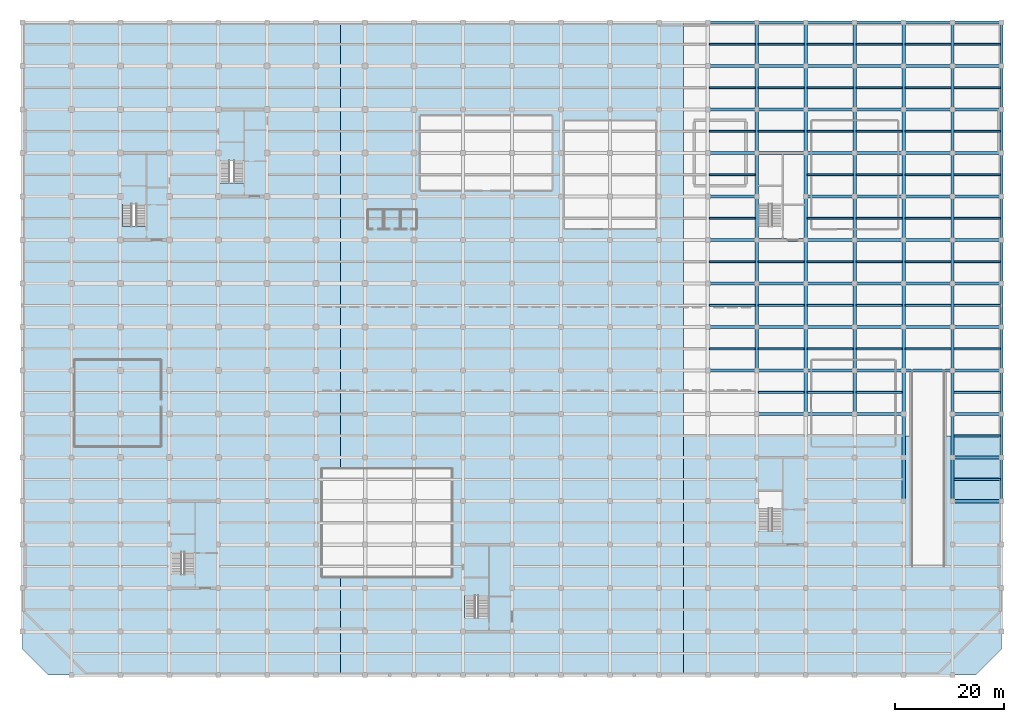
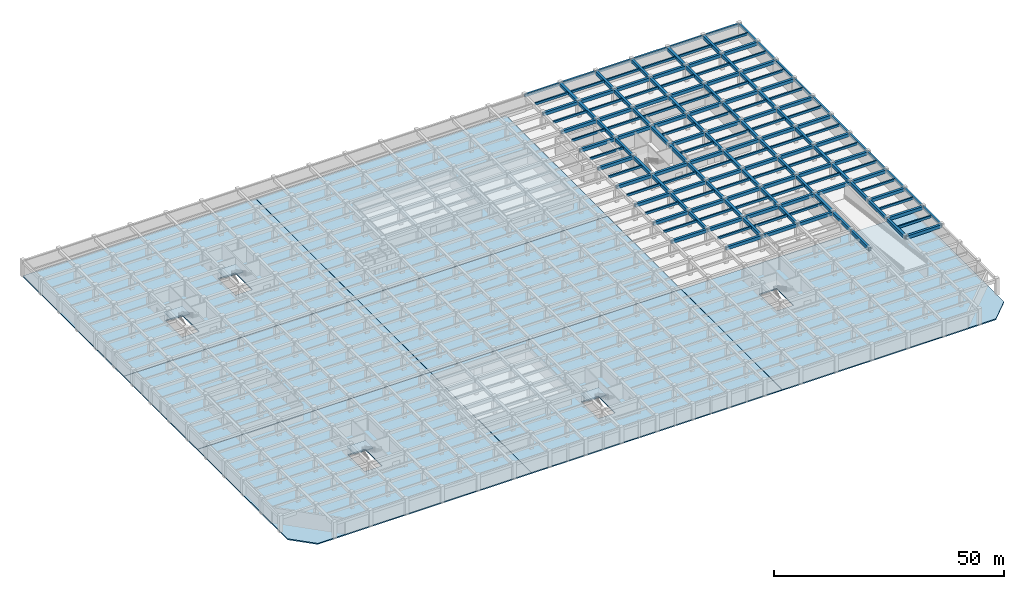
# One storey, part 7 of 26: 170 beams, 11 slabs, 4 elements without a shape of their own.
"""IFC4 building model written with IfcOpenShell, lengths in metres."""

from ifc_helpers import new_model, si_unit, direction, frame, origin, origin_2d, place, context, subcontext, project, spatial, polyline, rectangle, outline, extrude, material, layer, layer_set, material_profile, profile_set, type_object, element, aggregate, save


model = new_model("IFC4")

# Units and contexts
model_context = context("Model", 3, precision=1e-05, world=origin(), true_north=direction((0.0, 1.0)))
body_context = subcontext(model_context, "Body", "Model", "MODEL_VIEW")
ifc_project = project(units=[si_unit("LENGTHUNIT", "METRE"), si_unit("AREAUNIT", "SQUARE_METRE"), si_unit("VOLUMEUNIT", "CUBIC_METRE"), si_unit("PLANEANGLEUNIT", "RADIAN"), si_unit("MASSUNIT", "GRAM", prefix="KILO")], contexts=[model_context])

# Site, building, storey
site_placement = place(None, origin())
site = spatial("IfcSite", under=ifc_project, at=site_placement, CompositionType="ELEMENT")
building_placement = place(site_placement, origin())
building = spatial("IfcBuilding", under=site, at=building_placement, Name="Zaverband Oceanarium and Marine Research Institute", CompositionType="ELEMENT")
storey_placement = place(building_placement, frame((0.0, 0.0, -4.5)))
storey = spatial("IfcBuildingStorey", under=building, at=storey_placement, Name="B1", CompositionType="ELEMENT", Elevation=-4.5)

# Beams
ifc_material = material(Name="Concrete C40/50", Category="concrete")
ifc_material_profile_1 = material_profile(ifc_material, rectangle(XDim=0.60009765625, YDim=0.85009765625, at=origin_2d()), Name="RC600x850")
ifc_profile_set_1 = profile_set([ifc_material_profile_1], Name="Concrete C40/50")
beam_type_1 = type_object("IfcBeamType", Name="BM-600x850", PredefinedType="BEAM", material=ifc_profile_set_1)
for number, where, z_axis, x_axis, name in (
    (1, (171.0, 32.0, 3.72509765625), (1.0, 0.0, 0.0), (0.0, 1.0, 0.0), "Primary floor girder BM-600x850"),
    (2, (171.0, 40.0, 3.72509765625), (1.0, 0.0, 0.0), (0.0, 1.0, 0.0), "Primary floor girder BM-600x850"),
    (3, (135.0, 48.0, 3.72509765625), (1.0, 0.0, 0.0), (0.0, 1.0, 0.0), "Primary floor girder BM-600x850"),
    (4, (144.0, 48.0, 3.72509765625), (1.0, 0.0, 0.0), (0.0, 1.0, 0.0), "Primary floor girder BM-600x850"),
    (5, (153.0, 48.0, 3.72509765625), (1.0, 0.0, 0.0), (0.0, 1.0, 0.0), "Primary floor girder BM-600x850"),
    (6, (171.0, 48.0, 3.72509765625), (1.0, 0.0, 0.0), (0.0, 1.0, 0.0), "Primary floor girder BM-600x850"),
    (7, (126.0, 56.0, 3.72509765625), (1.0, 0.0, 0.0), (0.0, 1.0, 0.0), "Primary floor girder BM-600x850"),
    (8, (135.0, 56.0, 3.72509765625), (1.0, 0.0, 0.0), (0.0, 1.0, 0.0), "Primary floor girder BM-600x850"),
    (9, (144.0, 56.0, 3.72509765625), (1.0, 0.0, 0.0), (0.0, 1.0, 0.0), "Primary floor girder BM-600x850"),
    (10, (153.0, 56.0, 3.72509765625), (1.0, 0.0, 0.0), (0.0, 1.0, 0.0), "Primary floor girder BM-600x850"),
    (11, (162.0, 56.0, 3.72509765625), (1.0, 0.0, 0.0), (0.0, 1.0, 0.0), "Primary floor girder BM-600x850"),
    (12, (171.0, 56.0, 3.72509765625), (1.0, 0.0, 0.0), (0.0, 1.0, 0.0), "Primary floor girder BM-600x850"),
    (13, (126.0, 64.0, 3.72509765625), (1.0, 0.0, 0.0), (0.0, 1.0, 0.0), "Primary floor girder BM-600x850"),
    (14, (135.0, 64.0, 3.72509765625), (1.0, 0.0, 0.0), (0.0, 1.0, 0.0), "Primary floor girder BM-600x850"),
    (15, (144.0, 64.0, 3.72509765625), (1.0, 0.0, 0.0), (0.0, 1.0, 0.0), "Primary floor girder BM-600x850"),
    (16, (153.0, 64.0, 3.72509765625), (1.0, 0.0, 0.0), (0.0, 1.0, 0.0), "Primary floor girder BM-600x850"),
    (17, (162.0, 64.0, 3.72509765625), (1.0, 0.0, 0.0), (0.0, 1.0, 0.0), "Primary floor girder BM-600x850"),
    (18, (171.0, 64.0, 3.72509765625), (1.0, 0.0, 0.0), (0.0, 1.0, 0.0), "Primary floor girder BM-600x850"),
    (19, (126.0, 72.0, 3.72509765625), (1.0, 0.0, 0.0), (0.0, 1.0, 0.0), "Primary floor girder BM-600x850"),
    (20, (135.0, 72.0, 3.72509765625), (1.0, 0.0, 0.0), (0.0, 1.0, 0.0), "Primary floor girder BM-600x850"),
    (21, (144.0, 72.0, 3.72509765625), (1.0, 0.0, 0.0), (0.0, 1.0, 0.0), "Primary floor girder BM-600x850"),
    (22, (153.0, 72.0, 3.72509765625), (1.0, 0.0, 0.0), (0.0, 1.0, 0.0), "Primary floor girder BM-600x850"),
    (23, (162.0, 72.0, 3.72509765625), (1.0, 0.0, 0.0), (0.0, 1.0, 0.0), "Primary floor girder BM-600x850"),
    (24, (171.0, 72.0, 3.72509765625), (1.0, 0.0, 0.0), (0.0, 1.0, 0.0), "Primary floor girder BM-600x850"),
    (25, (126.0, 80.0, 3.72509765625), (1.0, 0.0, 0.0), (0.0, 1.0, 0.0), "Primary floor girder BM-600x850"),
    (26, (135.0, 80.0, 3.72509765625), (1.0, 0.0, 0.0), (0.0, 1.0, 0.0), "Primary floor girder BM-600x850"),
    (27, (144.0, 80.0, 3.72509765625), (1.0, 0.0, 0.0), (0.0, 1.0, 0.0), "Primary floor girder BM-600x850"),
    (28, (153.0, 80.0, 3.72509765625), (1.0, 0.0, 0.0), (0.0, 1.0, 0.0), "Primary floor girder BM-600x850"),
    (29, (162.0, 80.0, 3.72509765625), (1.0, 0.0, 0.0), (0.0, 1.0, 0.0), "Primary floor girder BM-600x850"),
    (30, (171.0, 80.0, 3.72509765625), (1.0, 0.0, 0.0), (0.0, 1.0, 0.0), "Primary floor girder BM-600x850"),
    (31, (126.0, 88.0, 3.72509765625), (1.0, 0.0, 0.0), (0.0, 1.0, 0.0), "Primary floor girder BM-600x850"),
    (32, (144.0, 88.0, 3.72509765625), (1.0, 0.0, 0.0), (0.0, 1.0, 0.0), "Primary floor girder BM-600x850"),
    (33, (153.0, 88.0, 3.72509765625), (1.0, 0.0, 0.0), (0.0, 1.0, 0.0), "Primary floor girder BM-600x850"),
    (34, (162.0, 88.0, 3.72509765625), (1.0, 0.0, 0.0), (0.0, 1.0, 0.0), "Primary floor girder BM-600x850"),
    (35, (171.0, 88.0, 3.72509765625), (1.0, 0.0, 0.0), (0.0, 1.0, 0.0), "Primary floor girder BM-600x850"),
    (36, (126.0, 96.0, 3.72509765625), (1.0, 0.0, 0.0), (0.0, 1.0, 0.0), "Primary floor girder BM-600x850"),
    (37, (135.0, 96.0, 3.72509765625), (1.0, 0.0, 0.0), (0.0, 1.0, 0.0), "Primary floor girder BM-600x850"),
    (38, (144.0, 96.0, 3.72509765625), (1.0, 0.0, 0.0), (0.0, 1.0, 0.0), "Primary floor girder BM-600x850"),
    (39, (153.0, 96.0, 3.72509765625), (1.0, 0.0, 0.0), (0.0, 1.0, 0.0), "Primary floor girder BM-600x850"),
    (40, (162.0, 96.0, 3.72509765625), (1.0, 0.0, 0.0), (0.0, 1.0, 0.0), "Primary floor girder BM-600x850"),
    (41, (171.0, 96.0, 3.72509765625), (1.0, 0.0, 0.0), (0.0, 1.0, 0.0), "Primary floor girder BM-600x850"),
    (42, (126.0, 104.0, 3.72509765625), (1.0, 0.0, 0.0), (0.0, 1.0, 0.0), "Primary floor girder BM-600x850"),
    (43, (135.0, 104.0, 3.72509765625), (1.0, 0.0, 0.0), (0.0, 1.0, 0.0), "Primary floor girder BM-600x850"),
    (44, (144.0, 104.0, 3.72509765625), (1.0, 0.0, 0.0), (0.0, 1.0, 0.0), "Primary floor girder BM-600x850"),
    (45, (153.0, 104.0, 3.72509765625), (1.0, 0.0, 0.0), (0.0, 1.0, 0.0), "Primary floor girder BM-600x850"),
    (46, (162.0, 104.0, 3.72509765625), (1.0, 0.0, 0.0), (0.0, 1.0, 0.0), "Primary floor girder BM-600x850"),
    (47, (171.0, 104.0, 3.72509765625), (1.0, 0.0, 0.0), (0.0, 1.0, 0.0), "Primary floor girder BM-600x850"),
    (48, (126.0, 112.0, 3.72509765625), (1.0, 0.0, 0.0), (0.0, 1.0, 0.0), "Primary floor girder BM-600x850"),
    (49, (135.0, 112.0, 3.72509765625), (1.0, 0.0, 0.0), (0.0, 1.0, 0.0), "Primary floor girder BM-600x850"),
    (50, (144.0, 112.0, 3.72509765625), (1.0, 0.0, 0.0), (0.0, 1.0, 0.0), "Primary floor girder BM-600x850"),
    (51, (153.0, 112.0, 3.72509765625), (1.0, 0.0, 0.0), (0.0, 1.0, 0.0), "Primary floor girder BM-600x850"),
    (52, (162.0, 112.0, 3.72509765625), (1.0, 0.0, 0.0), (0.0, 1.0, 0.0), "Primary floor girder BM-600x850"),
    (53, (171.0, 112.0, 3.72509765625), (1.0, 0.0, 0.0), (0.0, 1.0, 0.0), "Primary floor girder BM-600x850"),
):
    element("IfcBeam", number, at=place(storey_placement, frame(where, z_axis=z_axis, x_axis=x_axis)), inside=storey, type_object=beam_type_1, Name=name, PredefinedType="BEAM", context=body_context, shape_type="SweptSolid", body=[
        extrude(rectangle(XDim=0.60009765625, YDim=0.85009765625, at=origin_2d()), origin(), (0.0, 0.0, 1.0), 9.0),
    ])
for number, where, z_axis, x_axis, name in (
    (54, (135.0, 56.0, 3.72509765625), (0.0, 1.0, 0.0), (-1.0, 0.0, 0.0), "Primary floor girder BM-600x850"),
    (55, (135.0, 64.0, 3.72509765625), (0.0, 1.0, 0.0), (-1.0, 0.0, 0.0), "Primary floor girder BM-600x850"),
    (56, (135.0, 72.0, 3.72509765625), (0.0, 1.0, 0.0), (-1.0, 0.0, 0.0), "Primary floor girder BM-600x850"),
    (57, (135.0, 80.0, 3.72509765625), (0.0, 1.0, 0.0), (-1.0, 0.0, 0.0), "Primary floor girder BM-600x850"),
    (58, (135.0, 88.0, 3.72509765625), (0.0, 1.0, 0.0), (-1.0, 0.0, 0.0), "Primary floor girder BM-600x850"),
    (59, (135.0, 96.0, 3.72509765625), (0.0, 1.0, 0.0), (-1.0, 0.0, 0.0), "Primary floor girder BM-600x850"),
    (60, (135.0, 104.0, 3.72509765625), (0.0, 1.0, 0.0), (-1.0, 0.0, 0.0), "Primary floor girder BM-600x850"),
    (61, (135.0, 112.0, 3.72509765625), (0.0, 1.0, 0.0), (-1.0, 0.0, 0.0), "Primary floor girder BM-600x850"),
    (62, (144.0, 48.0, 3.72509765625), (0.0, 1.0, 0.0), (-1.0, 0.0, 0.0), "Primary floor girder BM-600x850"),
    (63, (144.0, 56.0, 3.72509765625), (0.0, 1.0, 0.0), (-1.0, 0.0, 0.0), "Primary floor girder BM-600x850"),
    (64, (144.0, 64.0, 3.72509765625), (0.0, 1.0, 0.0), (-1.0, 0.0, 0.0), "Primary floor girder BM-600x850"),
    (65, (144.0, 72.0, 3.72509765625), (0.0, 1.0, 0.0), (-1.0, 0.0, 0.0), "Primary floor girder BM-600x850"),
    (66, (144.0, 80.0, 3.72509765625), (0.0, 1.0, 0.0), (-1.0, 0.0, 0.0), "Primary floor girder BM-600x850"),
    (67, (144.0, 88.0, 3.72509765625), (0.0, 1.0, 0.0), (-1.0, 0.0, 0.0), "Primary floor girder BM-600x850"),
    (68, (144.0, 96.0, 3.72509765625), (0.0, 1.0, 0.0), (-1.0, 0.0, 0.0), "Primary floor girder BM-600x850"),
    (69, (144.0, 104.0, 3.72509765625), (0.0, 1.0, 0.0), (-1.0, 0.0, 0.0), "Primary floor girder BM-600x850"),
    (70, (144.0, 112.0, 3.72509765625), (0.0, 1.0, 0.0), (-1.0, 0.0, 0.0), "Primary floor girder BM-600x850"),
    (71, (153.0, 48.0, 3.72509765625), (0.0, 1.0, 0.0), (-1.0, 0.0, 0.0), "Primary floor girder BM-600x850"),
    (72, (153.0, 56.0, 3.72509765625), (0.0, 1.0, 0.0), (-1.0, 0.0, 0.0), "Primary floor girder BM-600x850"),
    (73, (153.0, 64.0, 3.72509765625), (0.0, 1.0, 0.0), (-1.0, 0.0, 0.0), "Primary floor girder BM-600x850"),
    (74, (153.0, 72.0, 3.72509765625), (0.0, 1.0, 0.0), (-1.0, 0.0, 0.0), "Primary floor girder BM-600x850"),
    (75, (153.0, 80.0, 3.72509765625), (0.0, 1.0, 0.0), (-1.0, 0.0, 0.0), "Primary floor girder BM-600x850"),
    (76, (153.0, 88.0, 3.72509765625), (0.0, 1.0, 0.0), (-1.0, 0.0, 0.0), "Primary floor girder BM-600x850"),
    (77, (153.0, 96.0, 3.72509765625), (0.0, 1.0, 0.0), (-1.0, 0.0, 0.0), "Primary floor girder BM-600x850"),
    (78, (153.0, 104.0, 3.72509765625), (0.0, 1.0, 0.0), (-1.0, 0.0, 0.0), "Primary floor girder BM-600x850"),
    (79, (153.0, 112.0, 3.72509765625), (0.0, 1.0, 0.0), (-1.0, 0.0, 0.0), "Primary floor girder BM-600x850"),
    (80, (162.0, 32.0, 3.72509765625), (0.0, 1.0, 0.0), (-1.0, 0.0, 0.0), "Primary floor girder BM-600x850"),
    (81, (162.0, 40.0, 3.72509765625), (0.0, 1.0, 0.0), (-1.0, 0.0, 0.0), "Primary floor girder BM-600x850"),
    (82, (162.0, 48.0, 3.72509765625), (0.0, 1.0, 0.0), (-1.0, 0.0, 0.0), "Primary floor girder BM-600x850"),
    (83, (162.0, 56.0, 3.72509765625), (0.0, 1.0, 0.0), (-1.0, 0.0, 0.0), "Primary floor girder BM-600x850"),
    (84, (162.0, 64.0, 3.72509765625), (0.0, 1.0, 0.0), (-1.0, 0.0, 0.0), "Primary floor girder BM-600x850"),
    (85, (162.0, 72.0, 3.72509765625), (0.0, 1.0, 0.0), (-1.0, 0.0, 0.0), "Primary floor girder BM-600x850"),
    (86, (162.0, 80.0, 3.72509765625), (0.0, 1.0, 0.0), (-1.0, 0.0, 0.0), "Primary floor girder BM-600x850"),
    (87, (162.0, 88.0, 3.72509765625), (0.0, 1.0, 0.0), (-1.0, 0.0, 0.0), "Primary floor girder BM-600x850"),
    (88, (162.0, 96.0, 3.72509765625), (0.0, 1.0, 0.0), (-1.0, 0.0, 0.0), "Primary floor girder BM-600x850"),
    (89, (162.0, 104.0, 3.72509765625), (0.0, 1.0, 0.0), (-1.0, 0.0, 0.0), "Primary floor girder BM-600x850"),
    (90, (162.0, 112.0, 3.72509765625), (0.0, 1.0, 0.0), (-1.0, 0.0, 0.0), "Primary floor girder BM-600x850"),
    (91, (171.0, 32.0, 3.72509765625), (0.0, 1.0, 0.0), (-1.0, 0.0, 0.0), "Primary floor girder BM-600x850"),
    (92, (171.0, 40.0, 3.72509765625), (0.0, 1.0, 0.0), (-1.0, 0.0, 0.0), "Primary floor girder BM-600x850"),
    (93, (171.0, 48.0, 3.72509765625), (0.0, 1.0, 0.0), (-1.0, 0.0, 0.0), "Primary floor girder BM-600x850"),
    (94, (171.0, 56.0, 3.72509765625), (0.0, 1.0, 0.0), (-1.0, 0.0, 0.0), "Primary floor girder BM-600x850"),
    (95, (171.0, 64.0, 3.72509765625), (0.0, 1.0, 0.0), (-1.0, 0.0, 0.0), "Primary floor girder BM-600x850"),
    (96, (171.0, 72.0, 3.72509765625), (0.0, 1.0, 0.0), (-1.0, 0.0, 0.0), "Primary floor girder BM-600x850"),
    (97, (171.0, 80.0, 3.72509765625), (0.0, 1.0, 0.0), (-1.0, 0.0, 0.0), "Primary floor girder BM-600x850"),
    (98, (171.0, 88.0, 3.72509765625), (0.0, 1.0, 0.0), (-1.0, 0.0, 0.0), "Primary floor girder BM-600x850"),
    (99, (171.0, 96.0, 3.72509765625), (0.0, 1.0, 0.0), (-1.0, 0.0, 0.0), "Primary floor girder BM-600x850"),
    (100, (171.0, 104.0, 3.72509765625), (0.0, 1.0, 0.0), (-1.0, 0.0, 0.0), "Primary floor girder BM-600x850"),
    (101, (171.0, 112.0, 3.72509765625), (0.0, 1.0, 0.0), (-1.0, 0.0, 0.0), "Primary floor girder BM-600x850"),
):
    element("IfcBeam", number, at=place(storey_placement, frame(where, z_axis=z_axis, x_axis=x_axis)), inside=storey, type_object=beam_type_1, Name=name, PredefinedType="BEAM", context=body_context, shape_type="SweptSolid", body=[
        extrude(rectangle(XDim=0.60009765625, YDim=0.85009765625, at=origin_2d()), origin(), (0.0, 0.0, 1.0), 8.0),
    ])
ifc_material_profile_2 = material_profile(ifc_material, rectangle(XDim=0.35009765625, YDim=0.60009765625, at=origin_2d()), Name="RC350x600")
ifc_profile_set_2 = profile_set([ifc_material_profile_2], Name="Concrete C40/50")
beam_type_2 = type_object("IfcBeamType", Name="JST-350x600", PredefinedType="JOIST", material=ifc_profile_set_2)
for number, where, z_axis, x_axis, name in (
    (102, (126.300048828125, 60.0, 3.85009765625), (1.0, 0.0, 0.0), (0.0, 1.0, 0.0), "Secondary floor joist JST-350x600"),
    (103, (126.300048828125, 68.0, 3.85009765625), (1.0, 0.0, 0.0), (0.0, 1.0, 0.0), "Secondary floor joist JST-350x600"),
    (104, (126.300048828125, 76.0, 3.85009765625), (1.0, 0.0, 0.0), (0.0, 1.0, 0.0), "Secondary floor joist JST-350x600"),
    (105, (126.300048828125, 84.0, 3.85009765625), (1.0, 0.0, 0.0), (0.0, 1.0, 0.0), "Secondary floor joist JST-350x600"),
    (106, (126.300048828125, 92.0, 3.85009765625), (1.0, 0.0, 0.0), (0.0, 1.0, 0.0), "Secondary floor joist JST-350x600"),
    (107, (126.300048828125, 100.0, 3.85009765625), (1.0, 0.0, 0.0), (0.0, 1.0, 0.0), "Secondary floor joist JST-350x600"),
    (108, (126.300048828125, 108.0, 3.85009765625), (1.0, 0.0, 0.0), (0.0, 1.0, 0.0), "Secondary floor joist JST-350x600"),
    (109, (126.300048828125, 116.0, 3.85009765625), (1.0, 0.0, 0.0), (0.0, 1.0, 0.0), "Secondary floor joist JST-350x600"),
    (110, (135.300048828125, 52.0, 3.85009765625), (1.0, 0.0, 0.0), (0.0, 1.0, 0.0), "Secondary floor joist JST-350x600"),
    (111, (135.300048828125, 60.0, 3.85009765625), (1.0, 0.0, 0.0), (0.0, 1.0, 0.0), "Secondary floor joist JST-350x600"),
    (112, (135.300048828125, 68.0, 3.85009765625), (1.0, 0.0, 0.0), (0.0, 1.0, 0.0), "Secondary floor joist JST-350x600"),
    (113, (135.300048828125, 76.0, 3.85009765625), (1.0, 0.0, 0.0), (0.0, 1.0, 0.0), "Secondary floor joist JST-350x600"),
    (114, (135.300048828125, 100.0, 3.85009765625), (1.0, 0.0, 0.0), (0.0, 1.0, 0.0), "Secondary floor joist JST-350x600"),
    (115, (135.300048828125, 108.0, 3.85009765625), (1.0, 0.0, 0.0), (0.0, 1.0, 0.0), "Secondary floor joist JST-350x600"),
    (116, (135.300048828125, 116.0, 3.85009765625), (1.0, 0.0, 0.0), (0.0, 1.0, 0.0), "Secondary floor joist JST-350x600"),
    (117, (144.300048828125, 52.0, 3.85009765625), (1.0, 0.0, 0.0), (0.0, 1.0, 0.0), "Secondary floor joist JST-350x600"),
    (118, (144.300048828125, 60.0, 3.85009765625), (1.0, 0.0, 0.0), (0.0, 1.0, 0.0), "Secondary floor joist JST-350x600"),
    (119, (144.300048828125, 68.0, 3.85009765625), (1.0, 0.0, 0.0), (0.0, 1.0, 0.0), "Secondary floor joist JST-350x600"),
    (120, (144.300048828125, 76.0, 3.85009765625), (1.0, 0.0, 0.0), (0.0, 1.0, 0.0), "Secondary floor joist JST-350x600"),
    (121, (144.300048828125, 84.0, 3.85009765625), (1.0, 0.0, 0.0), (0.0, 1.0, 0.0), "Secondary floor joist JST-350x600"),
    (122, (144.300048828125, 92.0, 3.85009765625), (1.0, 0.0, 0.0), (0.0, 1.0, 0.0), "Secondary floor joist JST-350x600"),
    (123, (144.300048828125, 100.0, 3.85009765625), (1.0, 0.0, 0.0), (0.0, 1.0, 0.0), "Secondary floor joist JST-350x600"),
    (124, (144.300048828125, 108.0, 3.85009765625), (1.0, 0.0, 0.0), (0.0, 1.0, 0.0), "Secondary floor joist JST-350x600"),
    (125, (144.300048828125, 116.0, 3.85009765625), (1.0, 0.0, 0.0), (0.0, 1.0, 0.0), "Secondary floor joist JST-350x600"),
    (126, (153.300048828125, 52.0, 3.85009765625), (1.0, 0.0, 0.0), (0.0, 1.0, 0.0), "Secondary floor joist JST-350x600"),
    (127, (153.300048828125, 60.0, 3.85009765625), (1.0, 0.0, 0.0), (0.0, 1.0, 0.0), "Secondary floor joist JST-350x600"),
    (128, (153.300048828125, 68.0, 3.85009765625), (1.0, 0.0, 0.0), (0.0, 1.0, 0.0), "Secondary floor joist JST-350x600"),
    (129, (153.300048828125, 76.0, 3.85009765625), (1.0, 0.0, 0.0), (0.0, 1.0, 0.0), "Secondary floor joist JST-350x600"),
    (130, (153.300048828125, 84.0, 3.85009765625), (1.0, 0.0, 0.0), (0.0, 1.0, 0.0), "Secondary floor joist JST-350x600"),
    (131, (153.300048828125, 92.0, 3.85009765625), (1.0, 0.0, 0.0), (0.0, 1.0, 0.0), "Secondary floor joist JST-350x600"),
    (132, (153.300048828125, 100.0, 3.85009765625), (1.0, 0.0, 0.0), (0.0, 1.0, 0.0), "Secondary floor joist JST-350x600"),
    (133, (153.300048828125, 108.0, 3.85009765625), (1.0, 0.0, 0.0), (0.0, 1.0, 0.0), "Secondary floor joist JST-350x600"),
    (134, (153.300048828125, 116.0, 3.85009765625), (1.0, 0.0, 0.0), (0.0, 1.0, 0.0), "Secondary floor joist JST-350x600"),
    (135, (162.300048828125, 60.0, 3.85009765625), (1.0, 0.0, 0.0), (0.0, 1.0, 0.0), "Secondary floor joist JST-350x600"),
    (136, (162.300048828125, 68.0, 3.85009765625), (1.0, 0.0, 0.0), (0.0, 1.0, 0.0), "Secondary floor joist JST-350x600"),
    (137, (162.300048828125, 76.0, 3.85009765625), (1.0, 0.0, 0.0), (0.0, 1.0, 0.0), "Secondary floor joist JST-350x600"),
    (138, (162.300048828125, 84.0, 3.85009765625), (1.0, 0.0, 0.0), (0.0, 1.0, 0.0), "Secondary floor joist JST-350x600"),
    (139, (162.300048828125, 92.0, 3.85009765625), (1.0, 0.0, 0.0), (0.0, 1.0, 0.0), "Secondary floor joist JST-350x600"),
    (140, (162.300048828125, 100.0, 3.85009765625), (1.0, 0.0, 0.0), (0.0, 1.0, 0.0), "Secondary floor joist JST-350x600"),
    (141, (162.300048828125, 108.0, 3.85009765625), (1.0, 0.0, 0.0), (0.0, 1.0, 0.0), "Secondary floor joist JST-350x600"),
    (142, (162.300048828125, 116.0, 3.85009765625), (1.0, 0.0, 0.0), (0.0, 1.0, 0.0), "Secondary floor joist JST-350x600"),
):
    element("IfcBeam", number, at=place(storey_placement, frame(where, z_axis=z_axis, x_axis=x_axis)), inside=storey, type_object=beam_type_2, Name=name, PredefinedType="JOIST", context=body_context, shape_type="SweptSolid", body=[
        extrude(rectangle(XDim=0.35009765625, YDim=0.60009765625, at=origin_2d()), origin(), (0.0, 0.0, 1.0), 8.39990234375),
    ])
for number, where, z_axis, x_axis, name in (
    (143, (171.300048828125, 36.0, 3.85009765625), (1.0, 0.0, 0.0), (0.0, 1.0, 0.0), "Secondary floor joist JST-350x600"),
    (144, (171.300048828125, 44.0, 3.85009765625), (1.0, 0.0, 0.0), (0.0, 1.0, 0.0), "Secondary floor joist JST-350x600"),
    (145, (171.300048828125, 52.0, 3.85009765625), (1.0, 0.0, 0.0), (0.0, 1.0, 0.0), "Secondary floor joist JST-350x600"),
    (146, (171.300048828125, 60.0, 3.85009765625), (1.0, 0.0, 0.0), (0.0, 1.0, 0.0), "Secondary floor joist JST-350x600"),
    (147, (171.300048828125, 68.0, 3.85009765625), (1.0, 0.0, 0.0), (0.0, 1.0, 0.0), "Secondary floor joist JST-350x600"),
    (148, (171.300048828125, 76.0, 3.85009765625), (1.0, 0.0, 0.0), (0.0, 1.0, 0.0), "Secondary floor joist JST-350x600"),
    (149, (171.300048828125, 84.0, 3.85009765625), (1.0, 0.0, 0.0), (0.0, 1.0, 0.0), "Secondary floor joist JST-350x600"),
    (150, (171.300048828125, 92.0, 3.85009765625), (1.0, 0.0, 0.0), (0.0, 1.0, 0.0), "Secondary floor joist JST-350x600"),
    (151, (171.300048828125, 100.0, 3.85009765625), (1.0, 0.0, 0.0), (0.0, 1.0, 0.0), "Secondary floor joist JST-350x600"),
    (152, (171.300048828125, 108.0, 3.85009765625), (1.0, 0.0, 0.0), (0.0, 1.0, 0.0), "Secondary floor joist JST-350x600"),
    (153, (171.300048828125, 116.0, 3.85009765625), (1.0, 0.0, 0.0), (0.0, 1.0, 0.0), "Secondary floor joist JST-350x600"),
):
    element("IfcBeam", number, at=place(storey_placement, frame(where, z_axis=z_axis, x_axis=x_axis)), inside=storey, type_object=beam_type_2, Name=name, PredefinedType="JOIST", context=body_context, shape_type="SweptSolid", body=[
        extrude(rectangle(XDim=0.35009765625, YDim=0.60009765625, at=origin_2d()), origin(), (0.0, 0.0, 1.0), 8.474853515625),
    ])
ifc_material_profile_3 = material_profile(ifc_material, rectangle(XDim=0.449951171875, YDim=0.699951171875, at=origin_2d()), Name="RC450x700")
ifc_profile_set_3 = profile_set([ifc_material_profile_3], Name="Concrete C40/50")
beam_type_3 = type_object("IfcBeamType", Name="SPN-450x700", PredefinedType="SPANDREL", material=ifc_profile_set_3)
for number, where, z_axis, x_axis, name in (
    (154, (126.0, 120.0, 3.800048828125), (1.0, 0.0, 0.0), (0.0, 1.0, 0.0), "Perimeter spandrel beam SPN-450x700"),
    (155, (135.0, 120.0, 3.800048828125), (1.0, 0.0, 0.0), (0.0, 1.0, 0.0), "Perimeter spandrel beam SPN-450x700"),
    (156, (144.0, 120.0, 3.800048828125), (1.0, 0.0, 0.0), (0.0, 1.0, 0.0), "Perimeter spandrel beam SPN-450x700"),
    (157, (153.0, 120.0, 3.800048828125), (1.0, 0.0, 0.0), (0.0, 1.0, 0.0), "Perimeter spandrel beam SPN-450x700"),
    (158, (162.0, 120.0, 3.800048828125), (1.0, 0.0, 0.0), (0.0, 1.0, 0.0), "Perimeter spandrel beam SPN-450x700"),
    (159, (171.0, 120.0, 3.800048828125), (1.0, 0.0, 0.0), (0.0, 1.0, 0.0), "Perimeter spandrel beam SPN-450x700"),
):
    element("IfcBeam", number, at=place(storey_placement, frame(where, z_axis=z_axis, x_axis=x_axis)), inside=storey, type_object=beam_type_3, Name=name, PredefinedType="SPANDREL", context=body_context, shape_type="SweptSolid", body=[
        extrude(rectangle(XDim=0.449951171875, YDim=0.699951171875, at=origin_2d()), origin(), (0.0, 0.0, 1.0), 9.0),
    ])
for number, where, z_axis, x_axis, name in (
    (160, (180.0, 32.0, 3.800048828125), (0.0, 1.0, 0.0), (-1.0, 0.0, 0.0), "Perimeter spandrel beam SPN-450x700"),
    (161, (180.0, 40.0, 3.800048828125), (0.0, 1.0, 0.0), (-1.0, 0.0, 0.0), "Perimeter spandrel beam SPN-450x700"),
    (162, (180.0, 48.0, 3.800048828125), (0.0, 1.0, 0.0), (-1.0, 0.0, 0.0), "Perimeter spandrel beam SPN-450x700"),
    (163, (180.0, 56.0, 3.800048828125), (0.0, 1.0, 0.0), (-1.0, 0.0, 0.0), "Perimeter spandrel beam SPN-450x700"),
    (164, (180.0, 64.0, 3.800048828125), (0.0, 1.0, 0.0), (-1.0, 0.0, 0.0), "Perimeter spandrel beam SPN-450x700"),
    (165, (180.0, 72.0, 3.800048828125), (0.0, 1.0, 0.0), (-1.0, 0.0, 0.0), "Perimeter spandrel beam SPN-450x700"),
    (166, (180.0, 80.0, 3.800048828125), (0.0, 1.0, 0.0), (-1.0, 0.0, 0.0), "Perimeter spandrel beam SPN-450x700"),
    (167, (180.0, 88.0, 3.800048828125), (0.0, 1.0, 0.0), (-1.0, 0.0, 0.0), "Perimeter spandrel beam SPN-450x700"),
    (168, (180.0, 96.0, 3.800048828125), (0.0, 1.0, 0.0), (-1.0, 0.0, 0.0), "Perimeter spandrel beam SPN-450x700"),
    (169, (180.0, 104.0, 3.800048828125), (0.0, 1.0, 0.0), (-1.0, 0.0, 0.0), "Perimeter spandrel beam SPN-450x700"),
    (170, (180.0, 112.0, 3.800048828125), (0.0, 1.0, 0.0), (-1.0, 0.0, 0.0), "Perimeter spandrel beam SPN-450x700"),
):
    element("IfcBeam", number, at=place(storey_placement, frame(where, z_axis=z_axis, x_axis=x_axis)), inside=storey, type_object=beam_type_3, Name=name, PredefinedType="SPANDREL", context=body_context, shape_type="SweptSolid", body=[
        extrude(rectangle(XDim=0.449951171875, YDim=0.699951171875, at=origin_2d()), origin(), (0.0, 0.0, 1.0), 8.0),
    ])

# Slabs
ifc_layer_1 = layer(ifc_material, 0.300048828125, Name="Concrete C40/50")
ifc_layer_set_1 = layer_set([ifc_layer_1], Name="Concrete C40/50")
slab_type_1 = type_object("IfcSlabType", Name="SLB-BSM-300", PredefinedType="FLOOR", material=ifc_layer_set_1)
slab_1_placement = place(storey_placement, frame((0.0, 0.0, -0.300048828125)))
element("IfcSlab", 171, at=slab_1_placement, inside=storey, type_object=slab_type_1, Name="Suspended floor slab SLB-BSM-300", PredefinedType="FLOOR", context=body_context, shape_type="SweptSolid", body=[
    extrude(outline(polyline([(0.0, 4.800048828125), (0.0, 43.985107421875), (58.485107421875, 43.985107421875), (58.485107421875, 0.0), (4.800048828125, 0.0), (0.0, 4.800048828125)]), holes=[polyline([(31.64990234375, 25.85009765625), (27.35009765625, 25.85009765625), (27.35009765625, 18.5), (31.64990234375, 18.5), (31.64990234375, 25.85009765625)])]), origin(), (0.0, 0.0, 1.0), 0.300048828125),
])
slab_2_placement = place(storey_placement, frame((0.0, 0.0, -0.300048828125)))
element("IfcSlab", 172, at=slab_2_placement, inside=storey, type_object=slab_type_1, Name="Suspended floor slab SLB-BSM-300", PredefinedType="FLOOR", context=body_context, shape_type="SweptSolid", body=[
    extrude(outline(polyline([(58.514892578125, 43.985107421875), (121.485107421875, 43.985107421875), (121.485107421875, 0.0), (58.514892578125, 0.0), (58.514892578125, 43.985107421875)]), holes=[polyline([(81.35009765625, 17.85009765625), (81.35009765625, 10.5), (85.64990234375, 10.5), (85.64990234375, 17.85009765625), (81.35009765625, 17.85009765625)])]), origin(), (0.0, 0.0, 1.0), 0.300048828125),
])
slab_3_placement = place(storey_placement, frame((0.0, 0.0, -0.300048828125)))
element("IfcSlab", 173, at=slab_3_placement, inside=storey, type_object=slab_type_1, Name="Suspended floor slab SLB-BSM-300", PredefinedType="FLOOR", context=body_context, shape_type="SweptSolid", body=[
    extrude(outline(polyline([(121.514892578125, 43.985107421875), (180.0, 43.985107421875), (180.0, 4.800048828125), (175.199951171875, 0.0), (121.514892578125, 0.0), (121.514892578125, 43.985107421875)]), holes=[polyline([(139.64990234375, 33.85009765625), (135.35009765625, 33.85009765625), (135.35009765625, 26.5), (139.64990234375, 26.5), (139.64990234375, 33.85009765625)])]), origin(), (0.0, 0.0, 1.0), 0.300048828125),
])
slab_4_placement = place(storey_placement, frame((0.0, 0.0, -0.300048828125)))
element("IfcSlab", 174, at=slab_4_placement, inside=storey, type_object=slab_type_1, Name="Suspended floor slab SLB-BSM-300", PredefinedType="FLOOR", context=body_context, shape_type="SweptSolid", body=[
    extrude(outline(polyline([(0.0, 75.985107421875), (58.485107421875, 75.985107421875), (58.485107421875, 44.014892578125), (0.0, 44.014892578125), (0.0, 75.985107421875)])), origin(), (0.0, 0.0, 1.0), 0.300048828125),
])
slab_5_placement = place(storey_placement, frame((0.0, 0.0, -0.300048828125)))
element("IfcSlab", 175, at=slab_5_placement, inside=storey, type_object=slab_type_1, Name="Suspended floor slab SLB-BSM-300", PredefinedType="FLOOR", context=body_context, shape_type="SweptSolid", body=[
    extrude(outline(polyline([(58.514892578125, 75.985107421875), (121.485107421875, 75.985107421875), (121.485107421875, 44.014892578125), (58.514892578125, 44.014892578125), (58.514892578125, 75.985107421875)])), origin(), (0.0, 0.0, 1.0), 0.300048828125),
])
slab_6_placement = place(storey_placement, frame((0.0, 0.0, -0.300048828125)))
element("IfcSlab", 176, at=slab_6_placement, inside=storey, type_object=slab_type_1, Name="Suspended floor slab SLB-BSM-300", PredefinedType="FLOOR", context=body_context, shape_type="SweptSolid", body=[
    extrude(outline(polyline([(0.0, 120.0), (58.485107421875, 120.0), (58.485107421875, 76.014892578125), (0.0, 76.014892578125), (0.0, 120.0)]), holes=[polyline([(18.35009765625, 89.85009765625), (18.35009765625, 82.5), (22.64990234375, 82.5), (22.64990234375, 89.85009765625), (18.35009765625, 89.85009765625)]), polyline([(40.64990234375, 97.85009765625), (36.35009765625, 97.85009765625), (36.35009765625, 90.5), (40.64990234375, 90.5), (40.64990234375, 97.85009765625)])]), origin(), (0.0, 0.0, 1.0), 0.300048828125),
])
slab_7_placement = place(storey_placement, frame((0.0, 0.0, -0.300048828125)))
element("IfcSlab", 177, at=slab_7_placement, inside=storey, type_object=slab_type_1, Name="Suspended floor slab SLB-BSM-300", PredefinedType="FLOOR", context=body_context, shape_type="SweptSolid", body=[
    extrude(outline(polyline([(58.514892578125, 120.0), (121.485107421875, 120.0), (121.485107421875, 76.014892578125), (58.514892578125, 76.014892578125), (58.514892578125, 120.0)])), origin(), (0.0, 0.0, 1.0), 0.300048828125),
])

# Stair, slab
stair_type_1 = type_object("IfcStairType", Name="STR-TWR-1650-4500", PredefinedType="HALF_TURN_STAIR", material=ifc_material)
stair_1_placement = place(storey_placement, origin())
stair_1 = element("IfcStair", 178, at=stair_1_placement, inside=storey, type_object=stair_type_1, Name="Exit Stair ST-01 (B1)", PredefinedType="HALF_TURN_STAIR")
ifc_layer_2 = layer(ifc_material, 0.199951171875, Name="Concrete C40/50")
ifc_layer_set_2 = layer_set([ifc_layer_2], Name="Concrete C40/50")
slab_type_2 = type_object("IfcSlabType", Name="SLB-LND-200", PredefinedType="LANDING", material=ifc_layer_set_2)
slab_8_placement = place(storey_placement, frame((0.0, 0.0, 2.050048828125)))
slab_8 = element("IfcSlab", 179, at=slab_8_placement, type_object=slab_type_2, Name="Stair / ramp landing slab SLB-LND-200", PredefinedType="LANDING", context=body_context, shape_type="SweptSolid", body=[
    extrude(outline(polyline([(18.139892578125, 86.570068359375), (22.735107421875, 86.570068359375), (22.735107421875, 89.93505859375), (18.139892578125, 89.93505859375), (18.139892578125, 86.570068359375)])), origin(), (0.0, 0.0, 1.0), 0.199951171875),
])
aggregate(stair_1, [slab_8])

stair_2_placement = place(storey_placement, origin())
stair_2 = element("IfcStair", 180, at=stair_2_placement, inside=storey, type_object=stair_type_1, Name="Exit Stair ST-02 (B1)", PredefinedType="HALF_TURN_STAIR")
slab_9_placement = place(storey_placement, frame((0.0, 0.0, 2.050048828125)))
slab_9 = element("IfcSlab", 181, at=slab_9_placement, type_object=slab_type_2, Name="Stair / ramp landing slab SLB-LND-200", PredefinedType="LANDING", context=body_context, shape_type="SweptSolid", body=[
    extrude(outline(polyline([(36.139892578125, 94.570068359375), (40.735107421875, 94.570068359375), (40.735107421875, 97.93505859375), (36.139892578125, 97.93505859375), (36.139892578125, 94.570068359375)])), origin(), (0.0, 0.0, 1.0), 0.199951171875),
])
aggregate(stair_2, [slab_9])

stair_type_2 = type_object("IfcStairType", Name="STR-POD-1800-4500", PredefinedType="HALF_TURN_STAIR", material=ifc_material)
stair_3_placement = place(storey_placement, origin())
stair_3 = element("IfcStair", 182, at=stair_3_placement, inside=storey, type_object=stair_type_2, Name="Exit Stair ST-03 (B1)", PredefinedType="HALF_TURN_STAIR")
ifc_layer_3 = layer(ifc_material, 0.219970703125, Name="Concrete C40/50")
ifc_layer_set_3 = layer_set([ifc_layer_3], Name="Concrete C40/50")
slab_type_3 = type_object("IfcSlabType", Name="SLB-LND-220", PredefinedType="LANDING", material=ifc_layer_set_3)
slab_10_placement = place(storey_placement, frame((0.0, 0.0, 2.030029296875)))
slab_10 = element("IfcSlab", 183, at=slab_10_placement, type_object=slab_type_3, Name="Stair / ramp landing slab SLB-LND-220", PredefinedType="LANDING", context=body_context, shape_type="SweptSolid", body=[
    extrude(outline(polyline([(27.139892578125, 22.570068359375), (31.735107421875, 22.570068359375), (31.735107421875, 25.93505859375), (27.139892578125, 25.93505859375), (27.139892578125, 22.570068359375)])), origin(), (0.0, 0.0, 1.0), 0.219970703125),
])
aggregate(stair_3, [slab_10])

stair_4_placement = place(storey_placement, origin())
stair_4 = element("IfcStair", 184, at=stair_4_placement, inside=storey, type_object=stair_type_2, Name="Exit Stair ST-06 (B1)", PredefinedType="HALF_TURN_STAIR")
slab_11_placement = place(storey_placement, frame((0.0, 0.0, 2.030029296875)))
slab_11 = element("IfcSlab", 185, at=slab_11_placement, type_object=slab_type_3, Name="Stair / ramp landing slab SLB-LND-220", PredefinedType="LANDING", context=body_context, shape_type="SweptSolid", body=[
    extrude(outline(polyline([(81.139892578125, 14.570068359375), (85.735107421875, 14.570068359375), (85.735107421875, 17.93505859375), (81.139892578125, 17.93505859375), (81.139892578125, 14.570068359375)])), origin(), (0.0, 0.0, 1.0), 0.219970703125),
])
aggregate(stair_4, [slab_11])

save(model, "model.ifc")
